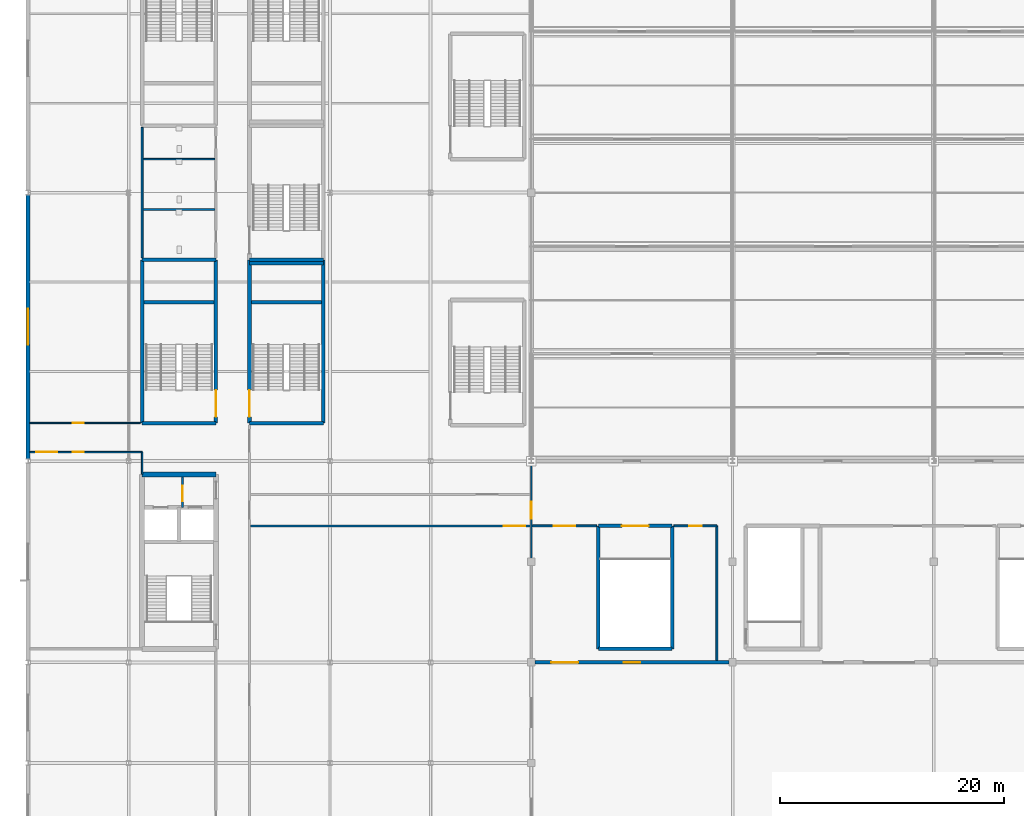
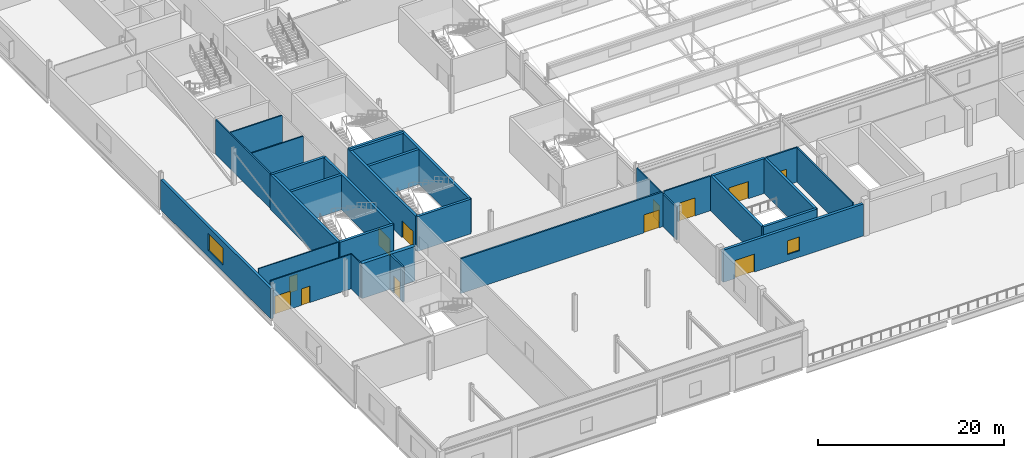
# One storey, part 95 of 136: 30 walls, 12 doors, 2 windows, 14 openings.
"""IFC4 building model written with IfcOpenShell, lengths in metres."""

from ifc_helpers import new_model, si_unit, direction, frame, frame_2d, origin, place, context, subcontext, project, spatial, rectangle, extrude, material, layer, layer_set, type_object, element, fill, save


model = new_model("IFC4")

# Units and contexts
model_context = context("Model", 3, precision=1e-05, world=origin(), true_north=direction((0.0, 1.0)))
body_context = subcontext(model_context, "Body", "Model", "MODEL_VIEW")
ifc_project = project(units=[si_unit("LENGTHUNIT", "METRE"), si_unit("AREAUNIT", "SQUARE_METRE"), si_unit("VOLUMEUNIT", "CUBIC_METRE"), si_unit("PLANEANGLEUNIT", "RADIAN"), si_unit("MASSUNIT", "GRAM", prefix="KILO")], contexts=[model_context])

# Site, building, storey
site_placement = place(None, origin())
site = spatial("IfcSite", under=ifc_project, at=site_placement, CompositionType="ELEMENT")
building_placement = place(site_placement, origin())
building = spatial("IfcBuilding", under=site, at=building_placement, Name="Kisiwana Market Hall", CompositionType="ELEMENT")
storey_placement = place(building_placement, frame((0.0, 0.0, 16.800048828125)))
storey = spatial("IfcBuildingStorey", under=building, at=storey_placement, Name="L03", CompositionType="ELEMENT", Elevation=16.800048828125)

# Wall, opening, door
ifc_material_1 = material(Name="Masonry blockwork", Category="masonry")
ifc_layer_1 = layer(ifc_material_1, 0.199951171875, Name="Plastered fire compartment block wall")
ifc_layer_set_1 = layer_set([ifc_layer_1], Name="WL-COMP-200")
wall_type_1 = type_object("IfcWallType", Name="WL-COMP-200", PredefinedType="PARTITIONING", material=ifc_layer_set_1)
wall_1_placement = place(storey_placement, frame((13.800048828125, 31.844970703125, 0.0), z_axis=(0.0, 0.0, 1.0), x_axis=(0.0, 1.0, 0.0)))
wall_1 = element("IfcWall", 1, at=wall_1_placement, inside=storey, type_object=wall_type_1, Name="Core W2 firefighting lobby wall W-1438", PredefinedType="PARTITIONING", context=body_context, shape_type="SweptSolid", body=[
    extrude(rectangle(XDim=2.72998046875, YDim=0.199951171875, at=frame_2d((1.364990234375, 0.0))), origin(), (0.0, 0.0, 1.0), 4.554931640625),
])
opening_1_placement = place(wall_1_placement, frame((0.550048828125, 0.0, 0.0)))
opening_1 = element("IfcOpeningElement", 2, at=opening_1_placement, cuts=wall_1, Name="Opening DR-L03-003", PredefinedType="OPENING", context=body_context, shape_type="SweptSolid", body=[
    extrude(rectangle(XDim=1.39990234375, YDim=2.25, at=frame_2d((0.699951171875, 1.125))), frame((0.0, 0.11181640625, 0.0), z_axis=(0.0, -1.0, 0.0), x_axis=(1.0, 0.0, 0.0)), (0.0, 0.0, 1.0), 0.223876953125),
])
ifc_material_2 = material(Name="Steel S275", Category="steel")
door_type_1 = type_object("IfcDoorType", Name="DR-FFLOB-FD120-1400", OperationType="DOUBLE_DOOR_SINGLE_SWING", PredefinedType="DOOR", material=ifc_material_2)
door_1_placement = place(opening_1_placement, frame((1.39990234375, 0.0, 0.0), z_axis=(0.0, 0.0, 1.0), x_axis=(-1.0, 0.0, 0.0)))
door_1 = element("IfcDoor", 3, at=door_1_placement, inside=storey, type_object=door_type_1, Name="Firefighting Lift Lobby W2 Door (L03)", OperationType="DOUBLE_DOOR_SINGLE_SWING", OverallHeight=2.25, OverallWidth=1.39990234375, PredefinedType="DOOR", context=body_context, shape_type="SweptSolid", body=[
    extrude(rectangle(XDim=1.39990234375, YDim=2.25, at=frame_2d((0.699951171875, 1.125))), frame((0.0, 0.02490234375, 0.0), z_axis=(0.0, -1.0, 0.0), x_axis=(1.0, 0.0, 0.0)), (0.0, 0.0, 1.0), 0.050048828125),
])
fill(opening_1, door_1)

wall_2_placement = place(storey_placement, frame((19.89990234375, 30.199951171875, 0.0), z_axis=(0.0, 0.0, 1.0), x_axis=(1.0, 0.0, 0.0)))
wall_2 = element("IfcWall", 4, at=wall_2_placement, inside=storey, type_object=wall_type_1, Name="Interior partition W-1456", PredefinedType="PARTITIONING", context=body_context, shape_type="SweptSolid", body=[
    extrude(rectangle(XDim=25.01513671875, YDim=0.199951171875, at=frame_2d((12.507568359375, 0.0))), origin(), (0.0, 0.0, 1.0), 4.554931640625),
])
opening_2_placement = place(wall_2_placement, frame((22.64990234375, 0.0, 0.0)))
opening_2 = element("IfcOpeningElement", 5, at=opening_2_placement, cuts=wall_2, Name="Opening DR-L03-052", PredefinedType="OPENING", context=body_context, shape_type="SweptSolid", body=[
    extrude(rectangle(XDim=1.89990234375, YDim=2.35009765625, at=frame_2d((0.949951171875, 1.175048828125))), frame((0.0, 0.11181640625, 0.0), z_axis=(0.0, -1.0, 0.0), x_axis=(1.0, 0.0, 0.0)), (0.0, 0.0, 1.0), 0.223876953125),
])
ifc_material_3 = material(Name="Steel S275", Category="steel")
door_type_2 = type_object("IfcDoorType", Name="DR-HALL-1900", OperationType="DOUBLE_DOOR_SINGLE_SWING", PredefinedType="DOOR", material=ifc_material_3)
door_2_placement = place(opening_2_placement, origin())
door_2 = element("IfcDoor", 6, at=door_2_placement, inside=storey, type_object=door_type_2, Name="L03 W Conference Pre-Function Foyer Exit Door", OperationType="DOUBLE_DOOR_SINGLE_SWING", OverallHeight=2.35009765625, OverallWidth=1.89990234375, PredefinedType="DOOR", context=body_context, shape_type="SweptSolid", body=[
    extrude(rectangle(XDim=1.89990234375, YDim=2.35009765625, at=frame_2d((0.949951171875, 1.175048828125))), frame((0.0, 0.02490234375, 0.0), z_axis=(0.0, -1.0, 0.0), x_axis=(1.0, 0.0, 0.0)), (0.0, 0.0, 1.0), 0.050048828125),
])
fill(opening_2, door_2)

# Walls
ifc_material_4 = material(Name="Concrete C40/50", Category="concrete")
ifc_layer_2 = layer(ifc_material_4, 0.320068359375, Name="Reinforced concrete shaft wall")
ifc_layer_set_2 = layer_set([ifc_layer_2], Name="WL-CORE-320")
wall_type_2 = type_object("IfcWallType", Name="WL-CORE-320", PredefinedType="SHEAR", material=ifc_layer_set_2)
for number, where, z_axis, x_axis, name in (
    (7, (10.199951171875, 39.39990234375, 0.0), (0.0, 0.0, 1.0), (1.0, 0.0, 0.0), "Core W3 south shear wall W-1242"),
    (8, (10.199951171875, 54.0, 0.0), (0.0, 0.0, 1.0), (1.0, 0.0, 0.0), "Core W3 north shear wall W-1243"),
):
    element("IfcWall", number, at=place(storey_placement, frame(where, z_axis=z_axis, x_axis=x_axis)), inside=storey, type_object=wall_type_2, Name=name, PredefinedType="SHEAR", context=body_context, shape_type="SweptSolid", body=[
        extrude(rectangle(XDim=6.60009765625, YDim=0.320068359375, at=frame_2d((3.300048828125, 0.0))), origin(), (0.0, 0.0, 1.0), 4.554931640625),
    ])
wall_3_placement = place(storey_placement, frame((10.199951171875, 39.39990234375, 0.0), z_axis=(0.0, 0.0, 1.0), x_axis=(0.0, 1.0, 0.0)))
element("IfcWall", 9, at=wall_3_placement, inside=storey, type_object=wall_type_2, Name="Core W3 outer shear wall W-1244", PredefinedType="SHEAR", context=body_context, shape_type="SweptSolid", body=[
    extrude(rectangle(XDim=14.60009765625, YDim=0.320068359375, at=frame_2d((7.300048828125, 0.0))), origin(), (0.0, 0.0, 1.0), 4.554931640625),
])

# Wall, opening, door
wall_4_placement = place(storey_placement, frame((16.800048828125, 39.39990234375, 0.0), z_axis=(0.0, 0.0, 1.0), x_axis=(0.0, 1.0, 0.0)))
wall_4 = element("IfcWall", 10, at=wall_4_placement, inside=storey, type_object=wall_type_2, Name="Core W3 corridor shear wall W-1245", PredefinedType="SHEAR", context=body_context, shape_type="SweptSolid", body=[
    extrude(rectangle(XDim=14.60009765625, YDim=0.320068359375, at=frame_2d((7.300048828125, 0.0))), origin(), (0.0, 0.0, 1.0), 4.554931640625),
])
opening_3_placement = place(wall_4_placement, frame((0.550048828125, 0.0, 0.0)))
opening_3 = element("IfcOpeningElement", 11, at=opening_3_placement, cuts=wall_4, Name="Opening DR-L03-019", PredefinedType="OPENING", context=body_context, shape_type="SweptSolid", body=[
    extrude(rectangle(XDim=2.39990234375, YDim=2.25, at=frame_2d((1.199951171875, 1.125))), frame((0.0, 0.171875, 0.0), z_axis=(0.0, -1.0, 0.0), x_axis=(1.0, 0.0, 0.0)), (0.0, 0.0, 1.0), 0.343994140625),
])
ifc_material_5 = material(Name="Steel S275", Category="steel")
door_type_3 = type_object("IfcDoorType", Name="DR-STAIR-FD120-2400", OperationType="DOUBLE_DOOR_SINGLE_SWING", PredefinedType="DOOR", material=ifc_material_5)
door_3_placement = place(opening_3_placement, origin())
door_3 = element("IfcDoor", 12, at=door_3_placement, inside=storey, type_object=door_type_3, Name="Escape Stair W3 Fire Door (L03)", OperationType="DOUBLE_DOOR_SINGLE_SWING", OverallHeight=2.25, OverallWidth=2.39990234375, PredefinedType="DOOR", context=body_context, shape_type="SweptSolid", body=[
    extrude(rectangle(XDim=2.39990234375, YDim=2.25, at=frame_2d((1.199951171875, 1.125))), frame((0.0, 0.02490234375, 0.0), z_axis=(0.0, -1.0, 0.0), x_axis=(1.0, 0.0, 0.0)), (0.0, 0.0, 1.0), 0.050048828125),
])
fill(opening_3, door_3)

# Walls
wall_5_placement = place(storey_placement, frame((10.360107421875, 50.219970703125, 0.0), z_axis=(0.0, 0.0, 1.0), x_axis=(1.0, 0.0, 0.0)))
element("IfcWall", 13, at=wall_5_placement, inside=storey, type_object=wall_type_2, Name="Core W3 riser divider shear wall W-1246", PredefinedType="SHEAR", context=body_context, shape_type="SweptSolid", body=[
    extrude(rectangle(XDim=6.27978515625, YDim=0.320068359375, at=frame_2d((3.139892578125, 0.0))), origin(), (0.0, 0.0, 1.0), 4.554931640625),
])
for number, where, z_axis, x_axis, name in (
    (14, (19.800048828125, 39.39990234375, 0.0), (0.0, 0.0, 1.0), (1.0, 0.0, 0.0), "Core W7 south shear wall W-1262"),
    (15, (19.800048828125, 54.0, 0.0), (0.0, 0.0, 1.0), (1.0, 0.0, 0.0), "Core W7 north shear wall W-1263"),
):
    element("IfcWall", number, at=place(storey_placement, frame(where, z_axis=z_axis, x_axis=x_axis)), inside=storey, type_object=wall_type_2, Name=name, PredefinedType="SHEAR", context=body_context, shape_type="SweptSolid", body=[
        extrude(rectangle(XDim=6.599853515625, YDim=0.320068359375, at=frame_2d((3.2998046875, 0.0))), origin(), (0.0, 0.0, 1.0), 4.554931640625),
    ])

# Wall, opening, door
wall_6_placement = place(storey_placement, frame((19.800048828125, 39.39990234375, 0.0), z_axis=(0.0, 0.0, 1.0), x_axis=(0.0, 1.0, 0.0)))
wall_6 = element("IfcWall", 16, at=wall_6_placement, inside=storey, type_object=wall_type_2, Name="Core W7 corridor shear wall W-1264", PredefinedType="SHEAR", context=body_context, shape_type="SweptSolid", body=[
    extrude(rectangle(XDim=14.60009765625, YDim=0.320068359375, at=frame_2d((7.300048828125, 0.0))), origin(), (0.0, 0.0, 1.0), 4.554931640625),
])
opening_4_placement = place(wall_6_placement, frame((0.550048828125, 0.0, 0.0)))
opening_4 = element("IfcOpeningElement", 17, at=opening_4_placement, cuts=wall_6, Name="Opening DR-L03-023", PredefinedType="OPENING", context=body_context, shape_type="SweptSolid", body=[
    extrude(rectangle(XDim=2.39990234375, YDim=2.25, at=frame_2d((1.199951171875, 1.125))), frame((0.0, 0.171875, 0.0), z_axis=(0.0, -1.0, 0.0), x_axis=(1.0, 0.0, 0.0)), (0.0, 0.0, 1.0), 0.343994140625),
])
door_4_placement = place(opening_4_placement, frame((2.39990234375, 0.0, 0.0), z_axis=(0.0, 0.0, 1.0), x_axis=(-1.0, 0.0, 0.0)))
door_4 = element("IfcDoor", 18, at=door_4_placement, inside=storey, type_object=door_type_3, Name="Escape Stair W7 Fire Door (L03)", OperationType="DOUBLE_DOOR_SINGLE_SWING", OverallHeight=2.25, OverallWidth=2.39990234375, PredefinedType="DOOR", context=body_context, shape_type="SweptSolid", body=[
    extrude(rectangle(XDim=2.39990234375, YDim=2.25, at=frame_2d((1.199951171875, 1.125))), frame((0.0, 0.02490234375, 0.0), z_axis=(0.0, -1.0, 0.0), x_axis=(1.0, 0.0, 0.0)), (0.0, 0.0, 1.0), 0.050048828125),
])
fill(opening_4, door_4)

# Walls
wall_7_placement = place(storey_placement, frame((26.39990234375, 39.39990234375, 0.0), z_axis=(0.0, 0.0, 1.0), x_axis=(0.0, 1.0, 0.0)))
element("IfcWall", 19, at=wall_7_placement, inside=storey, type_object=wall_type_2, Name="Core W7 outer shear wall W-1265", PredefinedType="SHEAR", context=body_context, shape_type="SweptSolid", body=[
    extrude(rectangle(XDim=14.60009765625, YDim=0.320068359375, at=frame_2d((7.300048828125, 0.0))), origin(), (0.0, 0.0, 1.0), 4.554931640625),
])
wall_8_placement = place(storey_placement, frame((19.9599609375, 50.219970703125, 0.0), z_axis=(0.0, 0.0, 1.0), x_axis=(1.0, 0.0, 0.0)))
element("IfcWall", 20, at=wall_8_placement, inside=storey, type_object=wall_type_2, Name="Core W7 riser divider shear wall W-1266", PredefinedType="SHEAR", context=body_context, shape_type="SweptSolid", body=[
    extrude(rectangle(XDim=6.280029296875, YDim=0.320068359375, at=frame_2d((3.14013671875, 0.0))), origin(), (0.0, 0.0, 1.0), 4.554931640625),
])
wall_9_placement = place(storey_placement, frame((19.800048828125, 53.679931640625, 0.0), z_axis=(0.0, 0.0, 1.0), x_axis=(1.0, 0.0, 0.0)))
element("IfcWall", 21, at=wall_9_placement, inside=storey, type_object=wall_type_2, Name="Core W5 south shear wall W-1298", PredefinedType="SHEAR", context=body_context, shape_type="SweptSolid", body=[
    extrude(rectangle(XDim=6.599853515625, YDim=0.320068359375, at=frame_2d((3.2998046875, 0.0))), origin(), (0.0, 0.0, 1.0), 4.554931640625),
])
wall_10_placement = place(storey_placement, frame((51.0, 19.199951171875, 0.0), z_axis=(0.0, 0.0, 1.0), x_axis=(1.0, 0.0, 0.0)))
element("IfcWall", 22, at=wall_10_placement, inside=storey, type_object=wall_type_2, Name="Core S3 outer shear wall W-1306", PredefinedType="SHEAR", context=body_context, shape_type="SweptSolid", body=[
    extrude(rectangle(XDim=6.60009765625, YDim=0.320068359375, at=frame_2d((3.300048828125, 0.0))), origin(), (0.0, 0.0, 1.0), 4.554931640625),
])

# Wall, opening, door
wall_11_placement = place(storey_placement, frame((51.0, 30.199951171875, 0.0), z_axis=(0.0, 0.0, 1.0), x_axis=(1.0, 0.0, 0.0)))
wall_11 = element("IfcWall", 23, at=wall_11_placement, inside=storey, type_object=wall_type_2, Name="Core S3 corridor shear wall W-1307", PredefinedType="SHEAR", context=body_context, shape_type="SweptSolid", body=[
    extrude(rectangle(XDim=6.60009765625, YDim=0.320068359375, at=frame_2d((3.300048828125, 0.0))), origin(), (0.0, 0.0, 1.0), 4.554931640625),
])
opening_5_placement = place(wall_11_placement, frame((2.10009765625, 0.0, 0.0)))
opening_5 = element("IfcOpeningElement", 24, at=opening_5_placement, cuts=wall_11, Name="Opening DR-L03-033", PredefinedType="OPENING", context=body_context, shape_type="SweptSolid", body=[
    extrude(rectangle(XDim=2.39990234375, YDim=2.25, at=frame_2d((1.199951171875, 1.125))), frame((0.0, 0.171875, 0.0), z_axis=(0.0, -1.0, 0.0), x_axis=(1.0, 0.0, 0.0)), (0.0, 0.0, 1.0), 0.343994140625),
])
door_5_placement = place(opening_5_placement, frame((2.39990234375, 0.0, 0.0), z_axis=(0.0, 0.0, 1.0), x_axis=(-1.0, 0.0, 0.0)))
door_5 = element("IfcDoor", 25, at=door_5_placement, inside=storey, type_object=door_type_3, Name="Escape Stair S3 Fire Door (L03)", OperationType="DOUBLE_DOOR_SINGLE_SWING", OverallHeight=2.25, OverallWidth=2.39990234375, PredefinedType="DOOR", context=body_context, shape_type="SweptSolid", body=[
    extrude(rectangle(XDim=2.39990234375, YDim=2.25, at=frame_2d((1.199951171875, 1.125))), frame((0.0, 0.02490234375, 0.0), z_axis=(0.0, -1.0, 0.0), x_axis=(1.0, 0.0, 0.0)), (0.0, 0.0, 1.0), 0.050048828125),
])
fill(opening_5, door_5)

# Walls
for number, where, z_axis, x_axis, name in (
    (26, (51.0, 19.199951171875, 0.0), (0.0, 0.0, 1.0), (0.0, 1.0, 0.0), "Core S3 west shear wall W-1308"),
    (27, (57.60009765625, 19.199951171875, 0.0), (0.0, 0.0, 1.0), (0.0, 1.0, 0.0), "Core S3 east shear wall W-1309"),
):
    element("IfcWall", number, at=place(storey_placement, frame(where, z_axis=z_axis, x_axis=x_axis)), inside=storey, type_object=wall_type_2, Name=name, PredefinedType="SHEAR", context=body_context, shape_type="SweptSolid", body=[
        extrude(rectangle(XDim=11.0, YDim=0.320068359375, at=frame_2d((5.5, 0.0))), origin(), (0.0, 0.0, 1.0), 4.554931640625),
    ])
ifc_material_6 = material(Name="Concrete C40/50", Category="concrete")
ifc_layer_3 = layer(ifc_material_6, 0.449951171875, Name="Reinforced concrete core wall")
ifc_layer_set_3 = layer_set([ifc_layer_3], Name="WL-CORE-450")
wall_type_3 = type_object("IfcWallType", Name="WL-CORE-450", PredefinedType="SHEAR", material=ifc_layer_set_3)
wall_12_placement = place(storey_placement, frame((10.199951171875, 34.800048828125, 0.0), z_axis=(0.0, 0.0, 1.0), x_axis=(1.0, 0.0, 0.0)))
element("IfcWall", 28, at=wall_12_placement, inside=storey, type_object=wall_type_3, Name="Core W2 north shear wall W-1185", PredefinedType="SHEAR", context=body_context, shape_type="SweptSolid", body=[
    extrude(rectangle(XDim=6.60009765625, YDim=0.449951171875, at=frame_2d((3.300048828125, 0.0))), origin(), (0.0, 0.0, 1.0), 4.554931640625),
])
ifc_material_7 = material(Name="Masonry blockwork", Category="masonry")
ifc_layer_4 = layer(ifc_material_7, 0.169921875, Name="Protected corridor partition")
ifc_layer_set_4 = layer_set([ifc_layer_4], Name="WL-CORR-170")
wall_type_4 = type_object("IfcWallType", Name="WL-CORR-170", PredefinedType="PARTITIONING", material=ifc_layer_set_4)
wall_13_placement = place(storey_placement, frame((10.199951171875, 54.159912109375, 0.0), z_axis=(0.0, 0.0, 1.0), x_axis=(0.0, 1.0, 0.0)))
element("IfcWall", 29, at=wall_13_placement, inside=storey, type_object=wall_type_4, Name="Interior partition W-1442", PredefinedType="PARTITIONING", context=body_context, shape_type="SweptSolid", body=[
    extrude(rectangle(XDim=11.68017578125, YDim=0.169921875, at=frame_2d((5.840087890625, 0.0))), origin(), (0.0, 0.0, 1.0), 4.554931640625),
])

# Wall, opening, door
wall_14_placement = place(storey_placement, frame((45.0, 27.219970703125, 0.0), z_axis=(0.0, 0.0, 1.0), x_axis=(0.0, 1.0, 0.0)))
wall_14 = element("IfcWall", 30, at=wall_14_placement, inside=storey, type_object=wall_type_4, Name="Interior partition W-1464", PredefinedType="PARTITIONING", context=body_context, shape_type="SweptSolid", body=[
    extrude(rectangle(XDim=8.56005859375, YDim=0.169921875, at=frame_2d((4.280029296875, 0.0))), origin(), (0.0, 0.0, 1.0), 4.258056640625),
])
opening_6_placement = place(wall_14_placement, frame((3.6298828125, 0.0, 0.0)))
opening_6 = element("IfcOpeningElement", 31, at=opening_6_placement, cuts=wall_14, Name="Opening DR-L03-061", PredefinedType="OPENING", context=body_context, shape_type="SweptSolid", body=[
    extrude(rectangle(XDim=1.5, YDim=2.199951171875, at=frame_2d((0.75, 1.10009765625))), frame((0.0, 0.096923828125, 0.0), z_axis=(0.0, -1.0, 0.0), x_axis=(1.0, 0.0, 0.0)), (0.0, 0.0, 1.0), 0.19384765625),
])
ifc_material_8 = material(Name="Steel S275", Category="steel")
door_type_4 = type_object("IfcDoorType", Name="DR-CORR-FD60-1500", OperationType="DOUBLE_DOOR_SINGLE_SWING", PredefinedType="DOOR", material=ifc_material_8)
door_6_placement = place(opening_6_placement, origin())
door_6 = element("IfcDoor", 32, at=door_6_placement, inside=storey, type_object=door_type_4, Name="L03 W South Spine Link Door", OperationType="DOUBLE_DOOR_SINGLE_SWING", OverallHeight=2.199951171875, OverallWidth=1.5, PredefinedType="DOOR", context=body_context, shape_type="SweptSolid", body=[
    extrude(rectangle(XDim=1.5, YDim=2.199951171875, at=frame_2d((0.75, 1.10009765625))), frame((0.0, 0.02490234375, 0.0), z_axis=(0.0, -1.0, 0.0), x_axis=(1.0, 0.0, 0.0)), (0.0, 0.0, 1.0), 0.050048828125),
])
fill(opening_6, door_6)

# Wall
wall_15_placement = place(storey_placement, frame((61.60009765625, 18.169921875, 0.0), z_axis=(0.0, 0.0, 1.0), x_axis=(0.0, 1.0, 0.0)))
element("IfcWall", 33, at=wall_15_placement, inside=storey, type_object=wall_type_4, Name="Interior partition W-1492", PredefinedType="PARTITIONING", context=body_context, shape_type="SweptSolid", body=[
    extrude(rectangle(XDim=12.030029296875, YDim=0.169921875, at=frame_2d((6.01513671875, 0.0))), origin(), (0.0, 0.0, 1.0), 4.554931640625),
])

# Wall, opening, door
wall_16_placement = place(storey_placement, frame((45.0849609375, 30.199951171875, 0.0), z_axis=(0.0, 0.0, 1.0), x_axis=(1.0, 0.0, 0.0)))
wall_16 = element("IfcWall", 34, at=wall_16_placement, inside=storey, type_object=wall_type_4, Name="Interior partition W-1493", PredefinedType="PARTITIONING", context=body_context, shape_type="SweptSolid", body=[
    extrude(rectangle(XDim=5.755126953125, YDim=0.169921875, at=frame_2d((2.87744140625, 0.0))), origin(), (0.0, 0.0, 1.0), 4.554931640625),
])
opening_7_placement = place(wall_16_placement, frame((1.927978515625, 0.0, 0.0)))
opening_7 = element("IfcOpeningElement", 35, at=opening_7_placement, cuts=wall_16, Name="Opening DR-L03-086", PredefinedType="OPENING", context=body_context, shape_type="SweptSolid", body=[
    extrude(rectangle(XDim=1.89990234375, YDim=2.35009765625, at=frame_2d((0.949951171875, 1.175048828125))), frame((0.0, 0.096923828125, 0.0), z_axis=(0.0, -1.0, 0.0), x_axis=(1.0, 0.0, 0.0)), (0.0, 0.0, 1.0), 0.19384765625),
])
door_7_placement = place(opening_7_placement, frame((1.89990234375, 0.0, 0.0), z_axis=(0.0, 0.0, 1.0), x_axis=(-1.0, 0.0, 0.0)))
door_7 = element("IfcDoor", 36, at=door_7_placement, inside=storey, type_object=door_type_2, Name="L03 SW Terrace Lounge Door", OperationType="DOUBLE_DOOR_SINGLE_SWING", OverallHeight=2.35009765625, OverallWidth=1.89990234375, PredefinedType="DOOR", context=body_context, shape_type="SweptSolid", body=[
    extrude(rectangle(XDim=1.89990234375, YDim=2.35009765625, at=frame_2d((0.949951171875, 1.175048828125))), frame((0.0, 0.02490234375, 0.0), z_axis=(0.0, -1.0, 0.0), x_axis=(1.0, 0.0, 0.0)), (0.0, 0.0, 1.0), 0.050048828125),
])
fill(opening_7, door_7)

wall_17_placement = place(storey_placement, frame((57.760009765625, 30.199951171875, 0.0), z_axis=(0.0, 0.0, 1.0), x_axis=(1.0, 0.0, 0.0)))
wall_17 = element("IfcWall", 37, at=wall_17_placement, inside=storey, type_object=wall_type_4, Name="Interior partition W-1494", PredefinedType="PARTITIONING", context=body_context, shape_type="SweptSolid", body=[
    extrude(rectangle(XDim=3.840087890625, YDim=0.169921875, at=frame_2d((1.919921875, 0.0))), origin(), (0.0, 0.0, 1.0), 4.554931640625),
])
opening_8_placement = place(wall_17_placement, frame((1.35009765625, 0.0, 0.0)))
opening_8 = element("IfcOpeningElement", 38, at=opening_8_placement, cuts=wall_17, Name="Opening DR-L03-087", PredefinedType="OPENING", context=body_context, shape_type="SweptSolid", body=[
    extrude(rectangle(XDim=1.14990234375, YDim=2.14990234375, at=frame_2d((0.574951171875, 1.074951171875))), frame((0.0, 0.096923828125, 0.0), z_axis=(0.0, -1.0, 0.0), x_axis=(1.0, 0.0, 0.0)), (0.0, 0.0, 1.0), 0.19384765625),
])
ifc_material_9 = material(Name="Aluminium alloy 6063-T6", Category="aluminium")
door_type_5 = type_object("IfcDoorType", Name="DR-MEET-1150", OperationType="NOTDEFINED", PredefinedType="DOOR", material=ifc_material_9)
door_8_placement = place(opening_8_placement, frame((1.14990234375, 0.0, 0.0), z_axis=(0.0, 0.0, 1.0), x_axis=(-1.0, 0.0, 0.0)))
door_8 = element("IfcDoor", 39, at=door_8_placement, inside=storey, type_object=door_type_5, Name="L03 W South West Terrace Lounge Door", OperationType="SINGLE_SWING_LEFT", OverallHeight=2.14990234375, OverallWidth=1.14990234375, PredefinedType="DOOR", context=body_context, shape_type="SweptSolid", body=[
    extrude(rectangle(XDim=1.14990234375, YDim=2.14990234375, at=frame_2d((0.574951171875, 1.074951171875))), frame((0.0, 0.02490234375, 0.0), z_axis=(0.0, -1.0, 0.0), x_axis=(1.0, 0.0, 0.0)), (0.0, 0.0, 1.0), 0.050048828125),
])
fill(opening_8, door_8)

# Wall, openings, door, window
ifc_material_10 = material(Name="Concrete C40/50 precast", Category="concrete")
ifc_layer_5 = layer(ifc_material_10, 0.14990234375, Name="Precast architectural concrete spandrel")
ifc_material_11 = material(Name="Mineral wool insulation")
ifc_layer_6 = layer(ifc_material_11, 0.090087890625, Name="Rockwool thermal insulation")
ifc_material_12 = material(Name="Masonry blockwork", Category="masonry")
ifc_layer_7 = layer(ifc_material_12, 0.10009765625, Name="Inner masonry block leaf")
ifc_layer_set_5 = layer_set([ifc_layer_5, ifc_layer_6, ifc_layer_7], Name="WL-EXT-PREC-340")
wall_type_5 = type_object("IfcWallType", Name="WL-EXT-PREC-340", PredefinedType="STANDARD", material=ifc_layer_set_5)
wall_18_placement = place(storey_placement, frame((45.31689453125, 18.0, 0.0), z_axis=(0.0, 0.0, 1.0), x_axis=(1.0, 0.0, 0.0)))
wall_18 = element("IfcWall", 40, at=wall_18_placement, inside=storey, type_object=wall_type_5, Name="Exterior wall W-1346", PredefinedType="STANDARD", context=body_context, shape_type="SweptSolid", body=[
    extrude(rectangle(XDim=17.3662109375, YDim=0.340087890625, at=frame_2d((8.68310546875, 0.0))), origin(), (0.0, 0.0, 1.0), 4.195068359375),
])
opening_9_placement = place(wall_18_placement, frame((7.93310546875, 0.0, 0.85009765625)))
opening_9 = element("IfcOpeningElement", 41, at=opening_9_placement, cuts=wall_18, Name="Opening WN-14", PredefinedType="OPENING", context=body_context, shape_type="SweptSolid", body=[
    extrude(rectangle(XDim=1.5, YDim=1.800048828125, at=frame_2d((0.75, 0.89990234375))), frame((0.0, 0.18212890625, 0.0), z_axis=(0.0, -1.0, 0.0), x_axis=(1.0, 0.0, 0.0)), (0.0, 0.0, 1.0), 0.364013671875),
])
opening_10_placement = place(wall_18_placement, frame((1.48291015625, 0.0, 0.0)))
opening_10 = element("IfcOpeningElement", 42, at=opening_10_placement, cuts=wall_18, Name="Opening DR-L03-978", PredefinedType="OPENING", context=body_context, shape_type="SweptSolid", body=[
    extrude(rectangle(XDim=2.39990234375, YDim=2.35009765625, at=frame_2d((1.199951171875, 1.175048828125))), frame((0.0, 0.18212890625, 0.0), z_axis=(0.0, -1.0, 0.0), x_axis=(1.0, 0.0, 0.0)), (0.0, 0.0, 1.0), 0.364013671875),
])
ifc_material_13 = material(Name="Aluminium alloy 6063-T6", Category="aluminium")
door_type_6 = type_object("IfcDoorType", Name="DR-EXT-TERR-2400", OperationType="DOUBLE_DOOR_SINGLE_SWING", PredefinedType="DOOR", material=ifc_material_13)
door_9_placement = place(opening_10_placement, origin())
door_9 = element("IfcDoor", 43, at=door_9_placement, inside=storey, type_object=door_type_6, Name="Exterior terrace access door DR-L03-978", OperationType="DOUBLE_DOOR_SINGLE_SWING", OverallHeight=2.35009765625, OverallWidth=2.39990234375, PredefinedType="DOOR", context=body_context, shape_type="SweptSolid", body=[
    extrude(rectangle(XDim=2.39990234375, YDim=2.35009765625, at=frame_2d((1.199951171875, 1.175048828125))), frame((0.0, 0.02490234375, 0.0), z_axis=(0.0, -1.0, 0.0), x_axis=(1.0, 0.0, 0.0)), (0.0, 0.0, 1.0), 0.050048828125),
])
fill(opening_10, door_9)
ifc_material_14 = material(Name="Double-glazed solar-control low-E IGU", Category="glass")
window_type_1 = type_object("IfcWindowType", Name="WN-POD-1500x1800", PartitioningType="SINGLE_PANEL", PredefinedType="WINDOW", material=ifc_material_14)
window_1_placement = place(opening_9_placement, origin())
window_1 = element("IfcWindow", 44, at=window_1_placement, inside=storey, type_object=window_type_1, Name="Exterior window WN-078", OverallHeight=1.800048828125, OverallWidth=1.5, PartitioningType="SINGLE_PANEL", PredefinedType="WINDOW", context=body_context, shape_type="SweptSolid", body=[
    extrude(rectangle(XDim=1.5, YDim=1.800048828125, at=frame_2d((0.75, 0.89990234375))), frame((0.0, 0.030029296875, 0.0), z_axis=(0.0, -1.0, 0.0), x_axis=(1.0, 0.0, 0.0)), (0.0, 0.0, 1.0), 0.06005859375),
])
fill(opening_9, window_1)

# Wall, opening, window
wall_19_placement = place(storey_placement, frame((0.0, 36.194091796875, 0.0), z_axis=(0.0, 0.0, 1.0), x_axis=(0.0, 1.0, 0.0)))
wall_19 = element("IfcWall", 45, at=wall_19_placement, inside=storey, type_object=wall_type_5, Name="Exterior wall W-1385", PredefinedType="STANDARD", context=body_context, shape_type="SweptSolid", body=[
    extrude(rectangle(XDim=23.61181640625, YDim=0.340087890625, at=frame_2d((11.805908203125, 0.0))), origin(), (0.0, 0.0, 1.0), 3.94287109375),
])
opening_11_placement = place(wall_19_placement, frame((10.2060546875, 0.0, 0.85009765625)))
opening_11 = element("IfcOpeningElement", 46, at=opening_11_placement, cuts=wall_19, Name="Opening WN-22", PredefinedType="OPENING", context=body_context, shape_type="SweptSolid", body=[
    extrude(rectangle(XDim=3.199951171875, YDim=2.199951171875, at=frame_2d((1.60009765625, 1.10009765625))), frame((0.0, 0.18212890625, 0.0), z_axis=(0.0, -1.0, 0.0), x_axis=(1.0, 0.0, 0.0)), (0.0, 0.0, 1.0), 0.364013671875),
])
ifc_material_15 = material(Name="Double-glazed solar-control low-E IGU", Category="glass")
window_type_2 = type_object("IfcWindowType", Name="WN-CONF-3200x2200", PartitioningType="SINGLE_PANEL", PredefinedType="WINDOW", material=ifc_material_15)
window_2_placement = place(opening_11_placement, origin())
window_2 = element("IfcWindow", 47, at=window_2_placement, inside=storey, type_object=window_type_2, Name="Exterior window WN-127", OverallHeight=2.199951171875, OverallWidth=3.199951171875, PartitioningType="SINGLE_PANEL", PredefinedType="WINDOW", context=body_context, shape_type="SweptSolid", body=[
    extrude(rectangle(XDim=3.199951171875, YDim=2.199951171875, at=frame_2d((1.60009765625, 1.10009765625))), frame((0.0, 0.030029296875, 0.0), z_axis=(0.0, -1.0, 0.0), x_axis=(1.0, 0.0, 0.0)), (0.0, 0.0, 1.0), 0.06005859375),
])
fill(opening_11, window_2)

# Wall
ifc_material_16 = material(Name="Gypsum plasterboard")
ifc_layer_8 = layer(ifc_material_16, 0.125, Name="Double gypsum board + acoustic stud")
ifc_layer_set_6 = layer_set([ifc_layer_8], Name="WL-OFF-125")
wall_type_6 = type_object("IfcWallType", Name="WL-OFF-125", PredefinedType="PARTITIONING", material=ifc_layer_set_6)
wall_20_placement = place(storey_placement, frame((10.199951171875, 34.800048828125, 0.0), z_axis=(0.0, 0.0, 1.0), x_axis=(0.0, 1.0, 0.0)))
element("IfcWall", 48, at=wall_20_placement, inside=storey, type_object=wall_type_6, Name="Interior partition W-1446", PredefinedType="PARTITIONING", context=body_context, shape_type="SweptSolid", body=[
    extrude(rectangle(XDim=2.0, YDim=0.125, at=frame_2d((1.0, 0.0))), origin(), (0.0, 0.0, 1.0), 4.554931640625),
])

# Wall, openings, doors
wall_21_placement = place(storey_placement, frame((0.169921875, 36.800048828125, 0.0), z_axis=(0.0, 0.0, 1.0), x_axis=(1.0, 0.0, 0.0)))
wall_21 = element("IfcWall", 49, at=wall_21_placement, inside=storey, type_object=wall_type_6, Name="Interior partition W-1450", PredefinedType="PARTITIONING", context=body_context, shape_type="SweptSolid", body=[
    extrude(rectangle(XDim=10.030029296875, YDim=0.125, at=frame_2d((5.01513671875, 0.0))), origin(), (0.0, 0.0, 1.0), 4.554931640625),
])
opening_12_placement = place(wall_21_placement, frame((3.830078125, 0.0, 0.0)))
opening_12 = element("IfcOpeningElement", 50, at=opening_12_placement, cuts=wall_21, Name="Opening DR-L03-044", PredefinedType="OPENING", context=body_context, shape_type="SweptSolid", body=[
    extrude(rectangle(XDim=1.0, YDim=2.14990234375, at=frame_2d((0.5, 1.074951171875))), frame((0.0, 0.074462890625, 0.0), z_axis=(0.0, -1.0, 0.0), x_axis=(1.0, 0.0, 0.0)), (0.0, 0.0, 1.0), 0.14892578125),
])
opening_13_placement = place(wall_21_placement, frame((0.550048828125, 0.0, 0.0)))
opening_13 = element("IfcOpeningElement", 51, at=opening_13_placement, cuts=wall_21, Name="Opening DR-L03-045", PredefinedType="OPENING", context=body_context, shape_type="SweptSolid", body=[
    extrude(rectangle(XDim=1.89990234375, YDim=2.35009765625, at=frame_2d((0.949951171875, 1.175048828125))), frame((0.0, 0.074462890625, 0.0), z_axis=(0.0, -1.0, 0.0), x_axis=(1.0, 0.0, 0.0)), (0.0, 0.0, 1.0), 0.14892578125),
])
door_10_placement = place(opening_13_placement, frame((1.89990234375, 0.0, 0.0), z_axis=(0.0, 0.0, 1.0), x_axis=(-1.0, 0.0, 0.0)))
door_10 = element("IfcDoor", 52, at=door_10_placement, inside=storey, type_object=door_type_2, Name="L03 W Civic Seminar Suite South Exit Door", OperationType="DOUBLE_DOOR_SINGLE_SWING", OverallHeight=2.35009765625, OverallWidth=1.89990234375, PredefinedType="DOOR", context=body_context, shape_type="SweptSolid", body=[
    extrude(rectangle(XDim=1.89990234375, YDim=2.35009765625, at=frame_2d((0.949951171875, 1.175048828125))), frame((0.0, 0.02490234375, 0.0), z_axis=(0.0, -1.0, 0.0), x_axis=(1.0, 0.0, 0.0)), (0.0, 0.0, 1.0), 0.050048828125),
])
fill(opening_13, door_10)
ifc_material_17 = material(Name="Aluminium alloy 6063-T6", Category="aluminium")
door_type_7 = type_object("IfcDoorType", Name="DR-OFF-1000", OperationType="NOTDEFINED", PredefinedType="DOOR", material=ifc_material_17)
door_11_placement = place(opening_12_placement, frame((1.0, 0.0, 0.0), z_axis=(0.0, 0.0, 1.0), x_axis=(-1.0, 0.0, 0.0)))
door_11 = element("IfcDoor", 53, at=door_11_placement, inside=storey, type_object=door_type_7, Name="L03 W Civic Seminar Suite South Door", OperationType="SINGLE_SWING_RIGHT", OverallHeight=2.14990234375, OverallWidth=1.0, PredefinedType="DOOR", context=body_context, shape_type="SweptSolid", body=[
    extrude(rectangle(XDim=1.0, YDim=2.14990234375, at=frame_2d((0.5, 1.074951171875))), frame((0.0, 0.02490234375, 0.0), z_axis=(0.0, -1.0, 0.0), x_axis=(1.0, 0.0, 0.0)), (0.0, 0.0, 1.0), 0.050048828125),
])
fill(opening_12, door_11)

# Wall, opening, door
wall_22_placement = place(storey_placement, frame((0.169921875, 39.39990234375, 0.0), z_axis=(0.0, 0.0, 1.0), x_axis=(1.0, 0.0, 0.0)))
wall_22 = element("IfcWall", 54, at=wall_22_placement, inside=storey, type_object=wall_type_6, Name="Interior partition W-1451", PredefinedType="PARTITIONING", context=body_context, shape_type="SweptSolid", body=[
    extrude(rectangle(XDim=9.8701171875, YDim=0.125, at=frame_2d((4.93505859375, 0.0))), origin(), (0.0, 0.0, 1.0), 4.554931640625),
])
opening_14_placement = place(wall_22_placement, frame((3.830078125, 0.0, 0.0)))
opening_14 = element("IfcOpeningElement", 55, at=opening_14_placement, cuts=wall_22, Name="Opening DR-L03-046", PredefinedType="OPENING", context=body_context, shape_type="SweptSolid", body=[
    extrude(rectangle(XDim=1.0, YDim=2.14990234375, at=frame_2d((0.5, 1.074951171875))), frame((0.0, 0.074462890625, 0.0), z_axis=(0.0, -1.0, 0.0), x_axis=(1.0, 0.0, 0.0)), (0.0, 0.0, 1.0), 0.14892578125),
])
door_12_placement = place(opening_14_placement, origin())
door_12 = element("IfcDoor", 56, at=door_12_placement, inside=storey, type_object=door_type_7, Name="L03 W Civic Seminar Suite Central Door", OperationType="SINGLE_SWING_LEFT", OverallHeight=2.14990234375, OverallWidth=1.0, PredefinedType="DOOR", context=body_context, shape_type="SweptSolid", body=[
    extrude(rectangle(XDim=1.0, YDim=2.14990234375, at=frame_2d((0.5, 1.074951171875))), frame((0.0, 0.02490234375, 0.0), z_axis=(0.0, -1.0, 0.0), x_axis=(1.0, 0.0, 0.0)), (0.0, 0.0, 1.0), 0.050048828125),
])
fill(opening_14, door_12)

# Walls
ifc_material_18 = material(Name="Masonry blockwork", Category="masonry")
ifc_layer_9 = layer(ifc_material_18, 0.14990234375, Name="Water-resistant sanitary block wall")
ifc_layer_set_7 = layer_set([ifc_layer_9], Name="WL-WET-150")
wall_type_7 = type_object("IfcWallType", Name="WL-WET-150", PredefinedType="PARTITIONING", material=ifc_layer_set_7)
for number, where, z_axis, x_axis, name in (
    (57, (10.284912109375, 58.5, 0.0), (0.0, 0.0, 1.0), (1.0, 0.0, 0.0), "Interior partition W-1444"),
    (58, (10.284912109375, 63.0, 0.0), (0.0, 0.0, 1.0), (1.0, 0.0, 0.0), "Interior partition W-1445"),
):
    element("IfcWall", number, at=place(storey_placement, frame(where, z_axis=z_axis, x_axis=x_axis)), inside=storey, type_object=wall_type_7, Name=name, PredefinedType="PARTITIONING", context=body_context, shape_type="SweptSolid", body=[
        extrude(rectangle(XDim=6.43017578125, YDim=0.14990234375, at=frame_2d((3.215087890625, 0.0))), origin(), (0.0, 0.0, 1.0), 4.554931640625),
    ])

save(model, "model.ifc")
